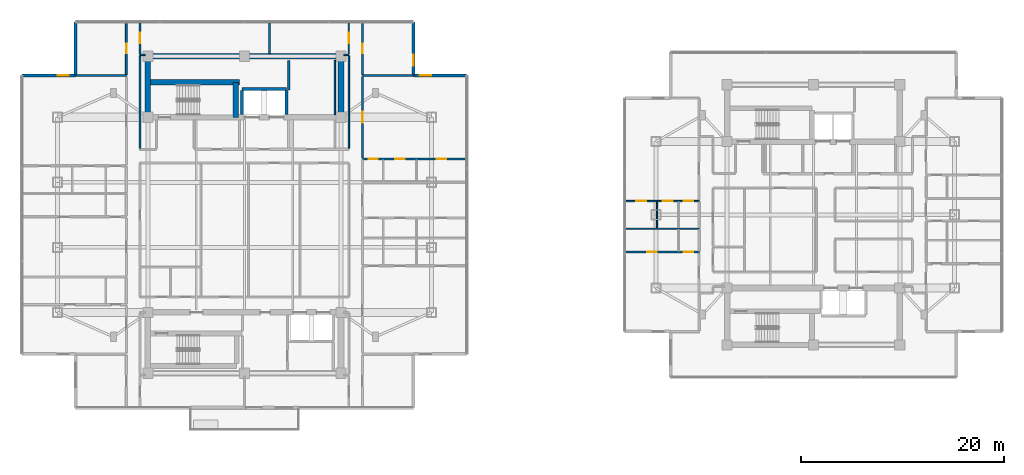
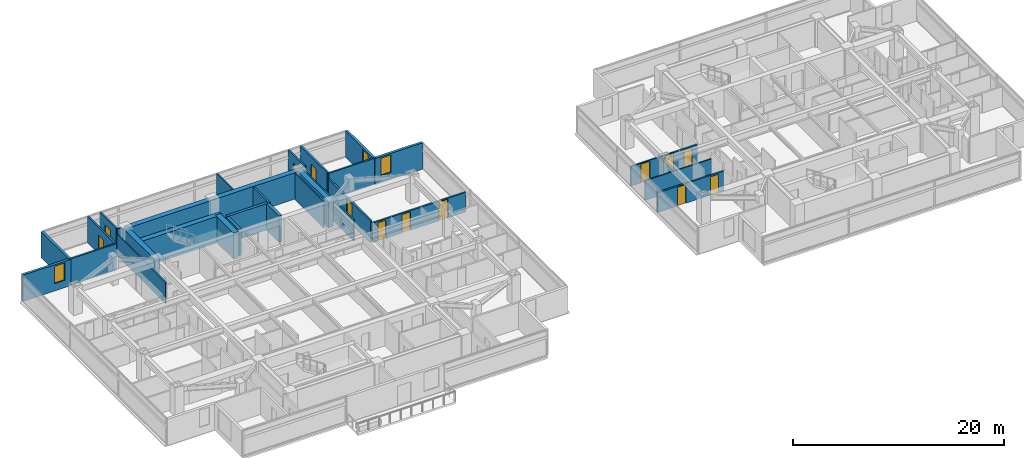
# One storey, part 15 of 25: 31 walls, 13 doors, 3 windows, 16 openings.
"""IFC4 building model written with IfcOpenShell, lengths in metres."""

import ifcopenshell
import ifcopenshell.guid

model = None  # the IFC model being written
_history = None  # IfcOwnerHistory: only IFC2X3 demands one
_inside = {}  # id of a spatial element -> (the spatial element, [elements in it])
_under = {}  # id of a project, library or spatial element -> (it, [spatial elements below it])
_declared = {}  # id of a project -> (the project, [libraries it declares])
_typed = {}  # id of a type object -> (the type object, [elements of that type])
_made_of = {}  # id of a material, layer set ... -> (it, [elements and type objects made of it])


def new_model(schema):
    """Start an empty IFC model of exactly this schema.

    Asked for "IFC4X3", IfcOpenShell would pick the latest addendum, in which some entities
    have other attributes; the version numbers below select the first issue.
    IFC2X3 requires an IfcOwnerHistory on every rooted entity: one is made here for all.
    """
    global model, _history
    if schema == "IFC4X3":
        model = ifcopenshell.file(schema_version=(4, 3, 0, 0))
    else:
        model = ifcopenshell.file(schema=schema)
    _inside.clear()
    _under.clear()
    _declared.clear()
    _typed.clear()
    _made_of.clear()
    _history = None
    if model.schema == "IFC2X3":
        org = make("IfcOrganization", Name="unknown")
        user = make(
            "IfcPersonAndOrganization",
            ThePerson=make("IfcPerson", FamilyName="unknown"),
            TheOrganization=org,
        )
        app = make(
            "IfcApplication",
            ApplicationDeveloper=org,
            Version="unknown",
            ApplicationFullName="unknown",
            ApplicationIdentifier="unknown",
        )
        _history = make(
            "IfcOwnerHistory",
            OwningUser=user,
            OwningApplication=app,
            ChangeAction="ADDED",
            CreationDate=0,
        )
    return model


def make(cls, **values):
    """One entity of the class cls with the attributes given. An attribute that is None is left unset."""
    return model.create_entity(
        cls, **{name: value for name, value in values.items() if value is not None}
    )


def rooted(cls, **values):
    """An entity with a GlobalId (a new one), such as an element, a storey or a relation."""
    return make(cls, GlobalId=ifcopenshell.guid.new(), OwnerHistory=_history, **values)


def si_unit(unit_type, name, prefix=None):
    """IfcSIUnit, for example si_unit("LENGTHUNIT", "METRE", prefix="MILLI")."""
    return make("IfcSIUnit", UnitType=unit_type, Prefix=prefix, Name=name)


def assignment(units):
    """IfcUnitAssignment: the units of a project."""
    return None if units is None else make("IfcUnitAssignment", Units=units)


def point(xyz):
    """IfcCartesianPoint."""
    return None if xyz is None else make("IfcCartesianPoint", Coordinates=xyz)


def direction(xyz):
    """IfcDirection."""
    return None if xyz is None else make("IfcDirection", DirectionRatios=xyz)


def frame(location, z_axis=None, x_axis=None):
    """IfcAxis2Placement3D, a coordinate frame: its origin and axes. An axis left out is left unset."""
    return make(
        "IfcAxis2Placement3D",
        Location=point(location),
        Axis=direction(z_axis),
        RefDirection=direction(x_axis),
    )


def frame_2d(location, x_axis=None):
    """IfcAxis2Placement2D, a coordinate frame in the plane: its origin and x axis."""
    return make(
        "IfcAxis2Placement2D", Location=point(location), RefDirection=direction(x_axis)
    )


def origin():
    """The frame at (0, 0, 0) with its axes left unset."""
    return frame((0.0, 0.0, 0.0))


def place(relative_to, where):
    """IfcLocalPlacement: puts the frame where relative to a parent placement (None: the world)."""
    return make(
        "IfcLocalPlacement", PlacementRelTo=relative_to, RelativePlacement=where
    )


def context(
    kind, dimensions, precision=None, world=None, true_north=None, identifier=None
):
    """IfcGeometricRepresentationContext, for example the 3D "Model" context."""
    return make(
        "IfcGeometricRepresentationContext",
        ContextIdentifier=identifier,
        ContextType=kind,
        CoordinateSpaceDimension=dimensions,
        Precision=precision,
        WorldCoordinateSystem=world,
        TrueNorth=true_north,
    )


def subcontext(parent, identifier, kind, view, scale=None):
    """IfcGeometricRepresentationSubContext, for example "Body" below "Model"."""
    return make(
        "IfcGeometricRepresentationSubContext",
        ContextIdentifier=identifier,
        ContextType=kind,
        ParentContext=parent,
        TargetScale=scale,
        TargetView=view,
    )


def project(units=None, contexts=None):
    """IfcProject with its units and contexts."""
    return rooted(
        "IfcProject",
        Name="project",
        RepresentationContexts=contexts,
        UnitsInContext=assignment(units),
    )


def spatial(cls, under=None, at=None, **own):
    """A site, building, storey or space (cls), placed at a placement, below another one or the project."""
    s = rooted(cls, ObjectPlacement=at, **own)
    if under is not None:
        _under.setdefault(under.id(), (under, []))[1].append(s)
    return s


def profile(cls, at=None, kind="AREA", **sizes):
    """A parametric profile (cls). Its sizes go by their IFC names, for example OverallWidth=200.0."""
    return make(cls, ProfileType=kind, Position=at, **sizes)


def rectangle(**sizes):
    """IfcRectangleProfileDef."""
    return profile("IfcRectangleProfileDef", **sizes)


def extrude(swept, where, along, depth):
    """IfcExtrudedAreaSolid: the profile swept, set in the frame where, extruded along a direction by depth."""
    return make(
        "IfcExtrudedAreaSolid",
        SweptArea=swept,
        Position=where,
        ExtrudedDirection=direction(along),
        Depth=depth,
    )


def shape(context_of_items, identifier, shape_type, items):
    """IfcShapeRepresentation: the items that make up one representation, for example the "Body"."""
    return make(
        "IfcShapeRepresentation",
        ContextOfItems=context_of_items,
        RepresentationIdentifier=identifier,
        RepresentationType=shape_type,
        Items=items,
    )


def material(Name=None, Category=None):
    """IfcMaterial."""
    return make("IfcMaterial", Name=Name, Category=Category)


def layer(
    of_material, thickness, ventilated=None, Name=None, Category=None, Priority=None
):
    """IfcMaterialLayer: one layer of a wall or slab, of a material (None: an air gap)."""
    return make(
        "IfcMaterialLayer",
        Material=of_material,
        LayerThickness=thickness,
        IsVentilated=ventilated,
        Name=Name,
        Category=Category,
        Priority=Priority,
    )


def layer_set(layers, Name=None):
    """IfcMaterialLayerSet."""
    return make("IfcMaterialLayerSet", MaterialLayers=layers, LayerSetName=Name)


def made_of(thing, what):
    """Note that an element or type object is made of a material, layer set ...; save() writes the relation."""
    if what is not None:
        _made_of.setdefault(what.id(), (what, []))[1].append(thing)
    return thing


def type_object(cls, material=None, **own):
    """A type object (cls), such as IfcWallType, which elements share."""
    return made_of(rooted(cls, **own), material)


def element(
    cls,
    number,
    at=None,
    inside=None,
    cuts=None,
    type_object=None,
    material=None,
    context=None,
    identifier="Body",
    shape_type=None,
    held_by="IfcProductDefinitionShape",
    body=None,
    shapes=None,
    **own,
):
    """One element of the class cls, such as IfcWall. Its Tag is "e" and its number.

    at: its placement. inside: the storey or other place that contains it. cuts: it is an
    opening in that element (IfcRelVoidsElement). A single representation is given by context,
    identifier, shape_type and body (its items); several are given by shapes. held_by: the class
    of the entity that holds the representations. save() writes the other relations.
    """
    e = rooted(cls, Tag="e%d" % number, ObjectPlacement=at, **own)
    if body is not None:
        shapes = [shape(context, identifier, shape_type, body)]
    if shapes is not None:
        e.Representation = make(held_by, Representations=shapes)
    if inside is not None:
        _inside.setdefault(inside.id(), (inside, []))[1].append(e)
    if cuts is not None:
        rooted(
            "IfcRelVoidsElement", RelatingBuildingElement=cuts, RelatedOpeningElement=e
        )
    if type_object is not None:
        _typed.setdefault(type_object.id(), (type_object, []))[1].append(e)
    return made_of(e, material)


def fill(opening, filler):
    """IfcRelFillsElement: the door or window that sits in an opening."""
    return rooted(
        "IfcRelFillsElement",
        RelatingOpeningElement=opening,
        RelatedBuildingElement=filler,
    )


def aggregate(whole, parts):
    """IfcRelAggregates: a whole, such as a stair, and the parts it consists of."""
    return rooted("IfcRelAggregates", RelatingObject=whole, RelatedObjects=parts)


def save(model, path):
    """Write the relations noted so far, then the file.

    IfcRelAggregates (storeys below a building ...), IfcRelContainedInSpatialStructure (elements
    in a storey), IfcRelDefinesByType, IfcRelAssociatesMaterial and IfcRelDeclares: one each for
    every whole, place, type object, material and project.
    """
    for whole, parts in _under.values():
        aggregate(whole, parts)
    for where, things in _inside.values():
        rooted(
            "IfcRelContainedInSpatialStructure",
            RelatedElements=things,
            RelatingStructure=where,
        )
    for kind, things in _typed.values():
        rooted("IfcRelDefinesByType", RelatedObjects=things, RelatingType=kind)
    for what, things in _made_of.values():
        rooted("IfcRelAssociatesMaterial", RelatedObjects=things, RelatingMaterial=what)
    for by, libraries in _declared.values():
        rooted("IfcRelDeclares", RelatingContext=by, RelatedDefinitions=libraries)
    model.write(path)


model = new_model("IFC4")

# Units and contexts
model_context = context("Model", 3, precision=1e-05, world=origin(), true_north=direction((0.0, 1.0)))
body_context = subcontext(model_context, "Body", "Model", "MODEL_VIEW")
ifc_project = project(units=[si_unit("LENGTHUNIT", "METRE"), si_unit("AREAUNIT", "SQUARE_METRE"), si_unit("VOLUMEUNIT", "CUBIC_METRE"), si_unit("PLANEANGLEUNIT", "RADIAN"), si_unit("MASSUNIT", "GRAM", prefix="KILO")], contexts=[model_context])

# Site, building, storey
site_placement = place(None, origin())
site = spatial("IfcSite", under=ifc_project, at=site_placement, CompositionType="ELEMENT")
building_placement = place(site_placement, origin())
building = spatial("IfcBuilding", under=site, at=building_placement, Name="Mirazonda Arch Towers", CompositionType="ELEMENT")
storey_placement = place(building_placement, frame((0.0, 0.0, 180.39990234375)))
storey = spatial("IfcBuildingStorey", under=building, at=storey_placement, Name="L51", CompositionType="ELEMENT", Elevation=180.39990234375)

# Walls
ifc_material_1 = material(Name="Concrete C50/60", Category="concrete")
ifc_layer_1 = layer(ifc_material_1, 0.550048828125, Name="WALL-CORE-550")
ifc_layer_set_1 = layer_set([ifc_layer_1], Name="Concrete C50/60")
wall_type_1 = type_object("IfcWallType", Name="WALL-CORE-550", PredefinedType="SHEAR", material=ifc_layer_set_1)
wall_1_placement = place(storey_placement, frame((11.0, 43.60009765625, 0.0), z_axis=(0.0, 0.0, 1.0), x_axis=(1.0, 0.0, 0.0)))
element("IfcWall", 1, at=wall_1_placement, inside=storey, type_object=wall_type_1, Name="L51 T1N-N Core Shear Wall", PredefinedType="SHEAR", context=body_context, shape_type="SweptSolid", body=[
    extrude(rectangle(XDim=19.0, YDim=0.550048828125, at=frame_2d((9.5, 0.0))), origin(), (0.0, 0.0, 1.0), 3.050048828125),
])
for number, where, z_axis, x_axis, name in (
    (2, (11.0, 37.60009765625, 0.0), (0.0, 0.0, 1.0), (0.0, 1.0, 0.0), "L51 T1N-W Core Shear Wall"),
    (3, (30.0, 37.60009765625, 0.0), (0.0, 0.0, 1.0), (0.0, 1.0, 0.0), "L51 T1N-E Core Shear Wall"),
):
    element("IfcWall", number, at=place(storey_placement, frame(where, z_axis=z_axis, x_axis=x_axis)), inside=storey, type_object=wall_type_1, Name=name, PredefinedType="SHEAR", context=body_context, shape_type="SweptSolid", body=[
        extrude(rectangle(XDim=6.0, YDim=0.550048828125, at=frame_2d((3.0, 0.0))), origin(), (0.0, 0.0, 1.0), 3.050048828125),
    ])
wall_2_placement = place(storey_placement, frame((11.0, 41.04296875, 0.0), z_axis=(0.0, 0.0, 1.0), x_axis=(1.0, 0.0, 0.0)))
element("IfcWall", 4, at=wall_2_placement, inside=storey, type_object=wall_type_1, Name="L51 T1N-STN Core Shear Wall", PredefinedType="SHEAR", context=body_context, shape_type="SweptSolid", body=[
    extrude(rectangle(XDim=9.0, YDim=0.550048828125, at=frame_2d((4.5, 0.0))), origin(), (0.0, 0.0, 1.0), 3.050048828125),
])
wall_3_placement = place(storey_placement, frame((19.64990234375, 37.60009765625, 0.0), z_axis=(0.0, 0.0, 1.0), x_axis=(0.0, 1.0, 0.0)))
element("IfcWall", 5, at=wall_3_placement, inside=storey, type_object=wall_type_1, Name="L51 T1N-STE Core Shear Wall", PredefinedType="SHEAR", context=body_context, shape_type="SweptSolid", body=[
    extrude(rectangle(XDim=3.44287109375, YDim=0.550048828125, at=frame_2d((1.721435546875, 0.0))), origin(), (0.0, 0.0, 1.0), 3.050048828125),
])

# Wall, opening, window
ifc_material_2 = material(Name="Precast Concrete C40/50", Category="concrete")
ifc_layer_2 = layer(ifc_material_2, 0.280029296875, Name="WALL-EXT-WALL-280")
ifc_layer_set_2 = layer_set([ifc_layer_2], Name="Precast Concrete C40/50")
wall_type_2 = type_object("IfcWallType", Name="WALL-EXT-WALL-280", PredefinedType="SOLIDWALL", material=ifc_layer_set_2)
wall_4_placement = place(storey_placement, frame((37.125, 41.708984375, 0.0), z_axis=(0.0, 0.0, 1.0), x_axis=(0.0, 1.0, 0.0)))
wall_4 = element("IfcWall", 6, at=wall_4_placement, inside=storey, type_object=wall_type_2, Name="L51 T1 Notched NE Corner Wall WL-L51-T1-CNE", PredefinedType="SOLIDWALL", context=body_context, shape_type="SweptSolid", body=[
    extrude(rectangle(XDim=5.2451171875, YDim=0.280029296875, at=frame_2d((2.62255859375, 0.0))), origin(), (0.0, 0.0, 1.0), 3.030029296875),
])
opening_1_placement = place(wall_4_placement, frame((0.949951171875, 0.0, 0.85009765625)))
opening_1 = element("IfcOpeningElement", 7, at=opening_1_placement, cuts=wall_4, Name="Opening WN-108", PredefinedType="OPENING", context=body_context, shape_type="SweptSolid", body=[
    extrude(rectangle(XDim=1.10009765625, YDim=2.0, at=frame_2d((0.550048828125, 1.0))), frame((0.0, 0.14990234375, 0.0), z_axis=(0.0, -1.0, 0.0), x_axis=(1.0, 0.0, 0.0)), (0.0, 0.0, 1.0), 0.300048828125),
])
ifc_material_3 = material(Name="Insulated Low-E Solar Glass", Category="glass")
window_type = type_object("IfcWindowType", Name="WIN-NOTCH-1100x2000", PartitioningType="SINGLE_PANEL", PredefinedType="WINDOW", material=ifc_material_3)
window_1_placement = place(opening_1_placement, origin())
window_1 = element("IfcWindow", 8, at=window_1_placement, inside=storey, type_object=window_type, Name="L51 Punched Facade Window WN-L51-T1-CNE", OverallHeight=2.0, OverallWidth=1.10009765625, PartitioningType="SINGLE_PANEL", PredefinedType="WINDOW", context=body_context, shape_type="SweptSolid", body=[
    extrude(rectangle(XDim=1.10009765625, YDim=2.0, at=frame_2d((0.550048828125, 1.0))), frame((0.0, 0.030029296875, 0.0), z_axis=(0.0, -1.0, 0.0), x_axis=(1.0, 0.0, 0.0)), (0.0, 0.0, 1.0), 0.06005859375),
])
fill(opening_1, window_1)

wall_5_placement = place(storey_placement, frame((3.875, 41.708984375, 0.0), z_axis=(0.0, 0.0, 1.0), x_axis=(-1.0, 0.0, 0.0)))
wall_5 = element("IfcWall", 9, at=wall_5_placement, inside=storey, type_object=wall_type_2, Name="L51 T1 Corner Notch Return Wall WL-L51-T1-CNW1", PredefinedType="SOLIDWALL", context=body_context, shape_type="SweptSolid", body=[
    extrude(rectangle(XDim=5.2451171875, YDim=0.280029296875, at=frame_2d((2.62255859375, 0.0))), origin(), (0.0, 0.0, 1.0), 3.030029296875),
])
opening_2_placement = place(wall_5_placement, frame((0.64990234375, 0.0, 0.85009765625)))
opening_2 = element("IfcOpeningElement", 10, at=opening_2_placement, cuts=wall_5, Name="Opening WN-108", PredefinedType="OPENING", context=body_context, shape_type="SweptSolid", body=[
    extrude(rectangle(XDim=1.10009765625, YDim=2.0, at=frame_2d((0.550048828125, 1.0))), frame((0.0, 0.14990234375, 0.0), z_axis=(0.0, -1.0, 0.0), x_axis=(1.0, 0.0, 0.0)), (0.0, 0.0, 1.0), 0.300048828125),
])
window_2_placement = place(opening_2_placement, origin())
window_2 = element("IfcWindow", 11, at=window_2_placement, inside=storey, type_object=window_type, Name="L51 Punched Facade Window WN-L51-T1-CNW1", OverallHeight=2.0, OverallWidth=1.10009765625, PartitioningType="SINGLE_PANEL", PredefinedType="WINDOW", context=body_context, shape_type="SweptSolid", body=[
    extrude(rectangle(XDim=1.10009765625, YDim=2.0, at=frame_2d((0.550048828125, 1.0))), frame((0.0, 0.030029296875, 0.0), z_axis=(0.0, -1.0, 0.0), x_axis=(1.0, 0.0, 0.0)), (0.0, 0.0, 1.0), 0.06005859375),
])
fill(opening_2, window_2)

# Wall
wall_6_placement = place(storey_placement, frame((3.875, 46.9541015625, 0.0), z_axis=(0.0, 0.0, 1.0), x_axis=(0.0, -1.0, 0.0)))
element("IfcWall", 12, at=wall_6_placement, inside=storey, type_object=wall_type_2, Name="L51 T1 Corner Notch Return Wall WL-L51-T1-CNW2", PredefinedType="SOLIDWALL", context=body_context, shape_type="SweptSolid", body=[
    extrude(rectangle(XDim=5.2451171875, YDim=0.280029296875, at=frame_2d((2.62255859375, 0.0))), origin(), (0.0, 0.0, 1.0), 3.030029296875),
])

# Wall, opening, window
wall_7_placement = place(storey_placement, frame((42.3701171875, 41.708984375, 0.0), z_axis=(0.0, 0.0, 1.0), x_axis=(-1.0, 0.0, 0.0)))
wall_7 = element("IfcWall", 13, at=wall_7_placement, inside=storey, type_object=wall_type_2, Name="L51 T1 Corner Notch Return Wall WL-L51-T1-CNE2", PredefinedType="SOLIDWALL", context=body_context, shape_type="SweptSolid", body=[
    extrude(rectangle(XDim=5.2451171875, YDim=0.280029296875, at=frame_2d((2.62255859375, 0.0))), origin(), (0.0, 0.0, 1.0), 3.030029296875),
])
opening_3_placement = place(wall_7_placement, frame((3.4951171875, 0.0, 0.85009765625)))
opening_3 = element("IfcOpeningElement", 14, at=opening_3_placement, cuts=wall_7, Name="Opening WN-108", PredefinedType="OPENING", context=body_context, shape_type="SweptSolid", body=[
    extrude(rectangle(XDim=1.10009765625, YDim=2.0, at=frame_2d((0.550048828125, 1.0))), frame((0.0, 0.14990234375, 0.0), z_axis=(0.0, -1.0, 0.0), x_axis=(1.0, 0.0, 0.0)), (0.0, 0.0, 1.0), 0.300048828125),
])
window_3_placement = place(opening_3_placement, origin())
window_3 = element("IfcWindow", 15, at=window_3_placement, inside=storey, type_object=window_type, Name="L51 Punched Facade Window WN-L51-T1-CNE2", OverallHeight=2.0, OverallWidth=1.10009765625, PartitioningType="SINGLE_PANEL", PredefinedType="WINDOW", context=body_context, shape_type="SweptSolid", body=[
    extrude(rectangle(XDim=1.10009765625, YDim=2.0, at=frame_2d((0.550048828125, 1.0))), frame((0.0, 0.030029296875, 0.0), z_axis=(0.0, -1.0, 0.0), x_axis=(1.0, 0.0, 0.0)), (0.0, 0.0, 1.0), 0.06005859375),
])
fill(opening_3, window_3)

# Wall
ifc_material_4 = material(Name="Concrete C40/50", Category="concrete")
ifc_layer_3 = layer(ifc_material_4, 0.219970703125, Name="WALL-FFL-220")
ifc_layer_set_3 = layer_set([ifc_layer_3], Name="Concrete C40/50")
wall_type_3 = type_object("IfcWallType", Name="WALL-FFL-220", PredefinedType="SOLIDWALL", material=ifc_layer_set_3)
wall_8_placement = place(storey_placement, frame((24.85009765625, 40.260009765625, 0.0), z_axis=(0.0, 0.0, 1.0), x_axis=(0.0, 1.0, 0.0)))
element("IfcWall", 16, at=wall_8_placement, inside=storey, type_object=wall_type_3, Name="L51 Interior Partition 096", PredefinedType="SOLIDWALL", context=body_context, shape_type="SweptSolid", body=[
    extrude(rectangle(XDim=2.93994140625, YDim=0.219970703125, at=frame_2d((1.469970703125, 0.0))), origin(), (0.0, 0.0, 1.0), 3.050048828125),
])

# Wall, openings, doors
ifc_material_5 = material(Name="Fire-Rated Gypsum Stud Partition")
ifc_layer_4 = layer(ifc_material_5, 0.14990234375, Name="WALL-PART-CORR-150")
ifc_layer_set_4 = layer_set([ifc_layer_4], Name="Fire-Rated Gypsum Stud Partition")
wall_type_4 = type_object("IfcWallType", Name="WALL-PART-CORR-150", PredefinedType="PARTITIONING", material=ifc_layer_set_4)
wall_9_placement = place(storey_placement, frame((57.962890625, 29.35205078125, 0.0), z_axis=(0.0, 0.0, 1.0), x_axis=(1.0, 0.0, 0.0)))
wall_9 = element("IfcWall", 17, at=wall_9_placement, inside=storey, type_object=wall_type_4, Name="L51 Interior Partition 036", PredefinedType="PARTITIONING", context=body_context, shape_type="SweptSolid", body=[
    extrude(rectangle(XDim=7.287109375, YDim=0.14990234375, at=frame_2d((3.6435546875, 0.0))), origin(), (0.0, 0.0, 1.0), 2.26904296875),
])
opening_4_placement = place(wall_9_placement, frame((1.118896484375, 0.0, 0.0)))
opening_4 = element("IfcOpeningElement", 18, at=opening_4_placement, cuts=wall_9, Name="Opening DR-104", PredefinedType="OPENING", context=body_context, shape_type="SweptSolid", body=[
    extrude(rectangle(XDim=0.949951171875, YDim=2.14990234375, at=frame_2d((0.47509765625, 1.074951171875))), frame((0.0, 0.0849609375, 0.0), z_axis=(0.0, -1.0, 0.0), x_axis=(1.0, 0.0, 0.0)), (0.0, 0.0, 1.0), 0.169921875),
])
opening_5_placement = place(wall_9_placement, frame((3.722412109375, 0.0, 0.0)))
opening_5 = element("IfcOpeningElement", 19, at=opening_5_placement, cuts=wall_9, Name="Opening DR-104", PredefinedType="OPENING", context=body_context, shape_type="SweptSolid", body=[
    extrude(rectangle(XDim=0.949951171875, YDim=2.14990234375, at=frame_2d((0.47509765625, 1.074951171875))), frame((0.0, 0.0849609375, 0.0), z_axis=(0.0, -1.0, 0.0), x_axis=(1.0, 0.0, 0.0)), (0.0, 0.0, 1.0), 0.169921875),
])
opening_6_placement = place(wall_9_placement, frame((5.797119140625, 0.0, 0.0)))
opening_6 = element("IfcOpeningElement", 20, at=opening_6_placement, cuts=wall_9, Name="Opening DR-120", PredefinedType="OPENING", context=body_context, shape_type="SweptSolid", body=[
    extrude(rectangle(XDim=0.89990234375, YDim=2.10009765625, at=frame_2d((0.449951171875, 1.050048828125))), frame((0.0, 0.0849609375, 0.0), z_axis=(0.0, -1.0, 0.0), x_axis=(1.0, 0.0, 0.0)), (0.0, 0.0, 1.0), 0.169921875),
])
ifc_material_6 = material(Name="Architectural Brushed Steel S355", Category="steel")
door_type_1 = type_object("IfcDoorType", Name="DOOR-ROOM-950", OperationType="NOTDEFINED", PredefinedType="DOOR", material=ifc_material_6)
door_1_placement = place(opening_4_placement, origin())
door_1 = element("IfcDoor", 21, at=door_1_placement, inside=storey, type_object=door_type_1, Name="L51 Residence 2 Principal Bedroom Door", OperationType="SINGLE_SWING_LEFT", OverallHeight=2.14990234375, OverallWidth=0.949951171875, PredefinedType="DOOR", context=body_context, shape_type="SweptSolid", body=[
    extrude(rectangle(XDim=0.949951171875, YDim=2.14990234375, at=frame_2d((0.47509765625, 1.074951171875))), frame((0.0, 0.02490234375, 0.0), z_axis=(0.0, -1.0, 0.0), x_axis=(1.0, 0.0, 0.0)), (0.0, 0.0, 1.0), 0.050048828125),
])
fill(opening_4, door_1)
door_2_placement = place(opening_5_placement, origin())
door_2 = element("IfcDoor", 22, at=door_2_placement, inside=storey, type_object=door_type_1, Name="L51 Residence 2 Fitted Kitchen Door", OperationType="SINGLE_SWING_RIGHT", OverallHeight=2.14990234375, OverallWidth=0.949951171875, PredefinedType="DOOR", context=body_context, shape_type="SweptSolid", body=[
    extrude(rectangle(XDim=0.949951171875, YDim=2.14990234375, at=frame_2d((0.47509765625, 1.074951171875))), frame((0.0, 0.02490234375, 0.0), z_axis=(0.0, -1.0, 0.0), x_axis=(1.0, 0.0, 0.0)), (0.0, 0.0, 1.0), 0.050048828125),
])
fill(opening_5, door_2)
door_type_2 = type_object("IfcDoorType", Name="DOOR-WC-900", OperationType="NOTDEFINED", PredefinedType="DOOR", material=ifc_material_6)
door_3_placement = place(opening_6_placement, origin())
door_3 = element("IfcDoor", 23, at=door_3_placement, inside=storey, type_object=door_type_2, Name="L51 Residence 2 Bathroom Door", OperationType="SINGLE_SWING_LEFT", OverallHeight=2.10009765625, OverallWidth=0.89990234375, PredefinedType="DOOR", context=body_context, shape_type="SweptSolid", body=[
    extrude(rectangle(XDim=0.89990234375, YDim=2.10009765625, at=frame_2d((0.449951171875, 1.050048828125))), frame((0.0, 0.02490234375, 0.0), z_axis=(0.0, -1.0, 0.0), x_axis=(1.0, 0.0, 0.0)), (0.0, 0.0, 1.0), 0.050048828125),
])
fill(opening_6, door_3)

# Walls
for number, where, z_axis, x_axis, name in (
    (24, (10.219970703125, 43.75, 0.0), (0.0, 0.0, 1.0), (1.0, 0.0, 0.0), "L51 Interior Partition 059"),
    (25, (30.27001953125, 43.75, 0.0), (0.0, 0.0, 1.0), (1.0, 0.0, 0.0), "L51 Interior Partition 060"),
):
    element("IfcWall", number, at=place(storey_placement, frame(where, z_axis=z_axis, x_axis=x_axis)), inside=storey, type_object=wall_type_4, Name=name, PredefinedType="PARTITIONING", context=body_context, shape_type="SweptSolid", body=[
        extrude(rectangle(XDim=0.510009765625, YDim=0.14990234375, at=frame_2d((0.2548828125, 0.0))), origin(), (0.0, 0.0, 1.0), 3.050048828125),
    ])
wall_10_placement = place(storey_placement, frame((10.219970703125, 34.534912109375, 0.0), z_axis=(0.0, 0.0, 1.0), x_axis=(0.0, 1.0, 0.0)))
element("IfcWall", 26, at=wall_10_placement, inside=storey, type_object=wall_type_4, Name="L51 Interior Partition 077", PredefinedType="PARTITIONING", context=body_context, shape_type="SweptSolid", body=[
    extrude(rectangle(XDim=9.130126953125, YDim=0.14990234375, at=frame_2d((4.56494140625, 0.0))), origin(), (0.0, 0.0, 1.0), 2.442138671875),
])

# Wall, opening, door
wall_11_placement = place(storey_placement, frame((10.219970703125, 43.8349609375, 0.0), z_axis=(0.0, 0.0, 1.0), x_axis=(0.0, 1.0, 0.0)))
wall_11 = element("IfcWall", 27, at=wall_11_placement, inside=storey, type_object=wall_type_4, Name="L51 Interior Partition 078", PredefinedType="PARTITIONING", context=body_context, shape_type="SweptSolid", body=[
    extrude(rectangle(XDim=3.119140625, YDim=0.14990234375, at=frame_2d((1.5595703125, 0.0))), origin(), (0.0, 0.0, 1.0), 3.050048828125),
])
opening_7_placement = place(wall_11_placement, frame((1.034423828125, 0.0, 0.0)))
opening_7 = element("IfcOpeningElement", 28, at=opening_7_placement, cuts=wall_11, Name="Opening DR-121", PredefinedType="OPENING", context=body_context, shape_type="SweptSolid", body=[
    extrude(rectangle(XDim=1.050048828125, YDim=2.199951171875, at=frame_2d((0.52490234375, 1.10009765625))), frame((0.0, 0.0849609375, 0.0), z_axis=(0.0, -1.0, 0.0), x_axis=(1.0, 0.0, 0.0)), (0.0, 0.0, 1.0), 0.169921875),
])
door_type_3 = type_object("IfcDoorType", Name="DOOR-SUITE-FD60-1050", OperationType="NOTDEFINED", PredefinedType="DOOR", material=ifc_material_6)
door_4_placement = place(opening_7_placement, origin())
door_4 = element("IfcDoor", 29, at=door_4_placement, inside=storey, type_object=door_type_3, Name="L51 North Bay Sunroom West Door", OperationType="SINGLE_SWING_LEFT", OverallHeight=2.199951171875, OverallWidth=1.050048828125, PredefinedType="DOOR", context=body_context, shape_type="SweptSolid", body=[
    extrude(rectangle(XDim=1.050048828125, YDim=2.199951171875, at=frame_2d((0.52490234375, 1.10009765625))), frame((0.0, 0.02490234375, 0.0), z_axis=(0.0, -1.0, 0.0), x_axis=(1.0, 0.0, 0.0)), (0.0, 0.0, 1.0), 0.050048828125),
])
fill(opening_7, door_4)

# Walls
wall_12_placement = place(storey_placement, frame((22.967041015625, 43.8701171875, 0.0), z_axis=(0.0, 0.0, 1.0), x_axis=(0.0, 1.0, 0.0)))
element("IfcWall", 30, at=wall_12_placement, inside=storey, type_object=wall_type_4, Name="L51 Interior Partition 091", PredefinedType="PARTITIONING", context=body_context, shape_type="SweptSolid", body=[
    extrude(rectangle(XDim=3.083984375, YDim=0.14990234375, at=frame_2d((1.5419921875, 0.0))), origin(), (0.0, 0.0, 1.0), 3.050048828125),
])
wall_13_placement = place(storey_placement, frame((29.39990234375, 37.8701171875, 0.0), z_axis=(0.0, 0.0, 1.0), x_axis=(0.0, 1.0, 0.0)))
element("IfcWall", 31, at=wall_13_placement, inside=storey, type_object=wall_type_4, Name="L51 Interior Partition 101", PredefinedType="PARTITIONING", context=body_context, shape_type="SweptSolid", body=[
    extrude(rectangle(XDim=5.329833984375, YDim=0.14990234375, at=frame_2d((2.6650390625, 0.0))), origin(), (0.0, 0.0, 1.0), 3.050048828125),
])
wall_14_placement = place(storey_placement, frame((30.780029296875, 34.570068359375, 0.0), z_axis=(0.0, 0.0, 1.0), x_axis=(0.0, 1.0, 0.0)))
element("IfcWall", 32, at=wall_14_placement, inside=storey, type_object=wall_type_4, Name="L51 Interior Partition 105", PredefinedType="PARTITIONING", context=body_context, shape_type="SweptSolid", body=[
    extrude(rectangle(XDim=9.094970703125, YDim=0.14990234375, at=frame_2d((4.54736328125, 0.0))), origin(), (0.0, 0.0, 1.0), 2.442138671875),
])

# Wall, opening, door
wall_15_placement = place(storey_placement, frame((30.780029296875, 43.8349609375, 0.0), z_axis=(0.0, 0.0, 1.0), x_axis=(0.0, 1.0, 0.0)))
wall_15 = element("IfcWall", 33, at=wall_15_placement, inside=storey, type_object=wall_type_4, Name="L51 Interior Partition 106", PredefinedType="PARTITIONING", context=body_context, shape_type="SweptSolid", body=[
    extrude(rectangle(XDim=3.119140625, YDim=0.14990234375, at=frame_2d((1.5595703125, 0.0))), origin(), (0.0, 0.0, 1.0), 3.050048828125),
])
opening_8_placement = place(wall_15_placement, frame((1.034423828125, 0.0, 0.0)))
opening_8 = element("IfcOpeningElement", 34, at=opening_8_placement, cuts=wall_15, Name="Opening DR-121", PredefinedType="OPENING", context=body_context, shape_type="SweptSolid", body=[
    extrude(rectangle(XDim=1.050048828125, YDim=2.199951171875, at=frame_2d((0.52490234375, 1.10009765625))), frame((0.0, 0.0849609375, 0.0), z_axis=(0.0, -1.0, 0.0), x_axis=(1.0, 0.0, 0.0)), (0.0, 0.0, 1.0), 0.169921875),
])
door_5_placement = place(opening_8_placement, origin())
door_5 = element("IfcDoor", 35, at=door_5_placement, inside=storey, type_object=door_type_3, Name="L51 North Bay Sunroom East Door", OperationType="SINGLE_SWING_RIGHT", OverallHeight=2.199951171875, OverallWidth=1.050048828125, PredefinedType="DOOR", context=body_context, shape_type="SweptSolid", body=[
    extrude(rectangle(XDim=1.050048828125, YDim=2.199951171875, at=frame_2d((0.52490234375, 1.10009765625))), frame((0.0, 0.02490234375, 0.0), z_axis=(0.0, -1.0, 0.0), x_axis=(1.0, 0.0, 0.0)), (0.0, 0.0, 1.0), 0.050048828125),
])
fill(opening_8, door_5)

# Wall, openings, doors
ifc_material_7 = material(Name="Fire-Rated Gypsum Twin-Stud Assembly")
ifc_layer_5 = layer(ifc_material_7, 0.179931640625, Name="WALL-PART-DEMISE-180")
ifc_layer_set_5 = layer_set([ifc_layer_5], Name="Fire-Rated Gypsum Twin-Stud Assembly")
wall_type_5 = type_object("IfcWallType", Name="WALL-PART-DEMISE-180", PredefinedType="PARTITIONING", material=ifc_layer_set_5)
wall_16_placement = place(storey_placement, frame((57.962890625, 24.33203125, 0.0), z_axis=(0.0, 0.0, 1.0), x_axis=(1.0, 0.0, 0.0)))
wall_16 = element("IfcWall", 36, at=wall_16_placement, inside=storey, type_object=wall_type_5, Name="L51 Interior Partition 026", PredefinedType="PARTITIONING", context=body_context, shape_type="SweptSolid", body=[
    extrude(rectangle(XDim=7.287109375, YDim=0.179931640625, at=frame_2d((3.6435546875, 0.0))), origin(), (0.0, 0.0, 1.0), 2.26904296875),
])
opening_9_placement = place(wall_16_placement, frame((2.16845703125, 0.0, 0.0)))
opening_9 = element("IfcOpeningElement", 37, at=opening_9_placement, cuts=wall_16, Name="Opening DR-104", PredefinedType="OPENING", context=body_context, shape_type="SweptSolid", body=[
    extrude(rectangle(XDim=0.949951171875, YDim=2.14990234375, at=frame_2d((0.47509765625, 1.074951171875))), frame((0.0, 0.099853515625, 0.0), z_axis=(0.0, -1.0, 0.0), x_axis=(1.0, 0.0, 0.0)), (0.0, 0.0, 1.0), 0.199951171875),
])
opening_10_placement = place(wall_16_placement, frame((5.797119140625, 0.0, 0.0)))
opening_10 = element("IfcOpeningElement", 38, at=opening_10_placement, cuts=wall_16, Name="Opening DR-120", PredefinedType="OPENING", context=body_context, shape_type="SweptSolid", body=[
    extrude(rectangle(XDim=0.89990234375, YDim=2.10009765625, at=frame_2d((0.449951171875, 1.050048828125))), frame((0.0, 0.099853515625, 0.0), z_axis=(0.0, -1.0, 0.0), x_axis=(1.0, 0.0, 0.0)), (0.0, 0.0, 1.0), 0.199951171875),
])
door_6_placement = place(opening_9_placement, origin())
door_6 = element("IfcDoor", 39, at=door_6_placement, inside=storey, type_object=door_type_1, Name="L51 Studio 1 Galley Kitchen Door", OperationType="SINGLE_SWING_RIGHT", OverallHeight=2.14990234375, OverallWidth=0.949951171875, PredefinedType="DOOR", context=body_context, shape_type="SweptSolid", body=[
    extrude(rectangle(XDim=0.949951171875, YDim=2.14990234375, at=frame_2d((0.47509765625, 1.074951171875))), frame((0.0, 0.02490234375, 0.0), z_axis=(0.0, -1.0, 0.0), x_axis=(1.0, 0.0, 0.0)), (0.0, 0.0, 1.0), 0.050048828125),
])
fill(opening_9, door_6)
door_7_placement = place(opening_10_placement, origin())
door_7 = element("IfcDoor", 40, at=door_7_placement, inside=storey, type_object=door_type_2, Name="L51 Studio 1 Bathroom Door", OperationType="SINGLE_SWING_LEFT", OverallHeight=2.10009765625, OverallWidth=0.89990234375, PredefinedType="DOOR", context=body_context, shape_type="SweptSolid", body=[
    extrude(rectangle(XDim=0.89990234375, YDim=2.10009765625, at=frame_2d((0.449951171875, 1.050048828125))), frame((0.0, 0.02490234375, 0.0), z_axis=(0.0, -1.0, 0.0), x_axis=(1.0, 0.0, 0.0)), (0.0, 0.0, 1.0), 0.050048828125),
])
fill(opening_10, door_7)

wall_17_placement = place(storey_placement, frame((32.1201171875, 33.5, 0.0), z_axis=(0.0, 0.0, 1.0), x_axis=(1.0, 0.0, 0.0)))
wall_17 = element("IfcWall", 41, at=wall_17_placement, inside=storey, type_object=wall_type_5, Name="L51 Interior Partition 047", PredefinedType="PARTITIONING", context=body_context, shape_type="SweptSolid", body=[
    extrude(rectangle(XDim=10.25, YDim=0.179931640625, at=frame_2d((5.125, 0.0))), origin(), (0.0, 0.0, 1.0), 2.26904296875),
])
opening_11_placement = place(wall_17_placement, frame((7.2919921875, 0.0, 0.0)))
opening_11 = element("IfcOpeningElement", 42, at=opening_11_placement, cuts=wall_17, Name="Opening DR-104", PredefinedType="OPENING", context=body_context, shape_type="SweptSolid", body=[
    extrude(rectangle(XDim=0.949951171875, YDim=2.14990234375, at=frame_2d((0.47509765625, 1.074951171875))), frame((0.0, 0.099853515625, 0.0), z_axis=(0.0, -1.0, 0.0), x_axis=(1.0, 0.0, 0.0)), (0.0, 0.0, 1.0), 0.199951171875),
])
opening_12_placement = place(wall_17_placement, frame((3.20703125, 0.0, 0.0)))
opening_12 = element("IfcOpeningElement", 43, at=opening_12_placement, cuts=wall_17, Name="Opening DR-104", PredefinedType="OPENING", context=body_context, shape_type="SweptSolid", body=[
    extrude(rectangle(XDim=0.949951171875, YDim=2.14990234375, at=frame_2d((0.47509765625, 1.074951171875))), frame((0.0, 0.099853515625, 0.0), z_axis=(0.0, -1.0, 0.0), x_axis=(1.0, 0.0, 0.0)), (0.0, 0.0, 1.0), 0.199951171875),
])
opening_13_placement = place(wall_17_placement, frame((0.590087890625, 0.0, 0.0)))
opening_13 = element("IfcOpeningElement", 44, at=opening_13_placement, cuts=wall_17, Name="Opening DR-120", PredefinedType="OPENING", context=body_context, shape_type="SweptSolid", body=[
    extrude(rectangle(XDim=0.89990234375, YDim=2.10009765625, at=frame_2d((0.449951171875, 1.050048828125))), frame((0.0, 0.099853515625, 0.0), z_axis=(0.0, -1.0, 0.0), x_axis=(1.0, 0.0, 0.0)), (0.0, 0.0, 1.0), 0.199951171875),
])
door_8_placement = place(opening_11_placement, origin())
door_8 = element("IfcDoor", 45, at=door_8_placement, inside=storey, type_object=door_type_1, Name="L51 Residence 3 Principal Bedroom Door", OperationType="SINGLE_SWING_LEFT", OverallHeight=2.14990234375, OverallWidth=0.949951171875, PredefinedType="DOOR", context=body_context, shape_type="SweptSolid", body=[
    extrude(rectangle(XDim=0.949951171875, YDim=2.14990234375, at=frame_2d((0.47509765625, 1.074951171875))), frame((0.0, 0.02490234375, 0.0), z_axis=(0.0, -1.0, 0.0), x_axis=(1.0, 0.0, 0.0)), (0.0, 0.0, 1.0), 0.050048828125),
])
fill(opening_11, door_8)
door_9_placement = place(opening_12_placement, origin())
door_9 = element("IfcDoor", 46, at=door_9_placement, inside=storey, type_object=door_type_1, Name="L51 Residence 3 Fitted Kitchen Door", OperationType="SINGLE_SWING_RIGHT", OverallHeight=2.14990234375, OverallWidth=0.949951171875, PredefinedType="DOOR", context=body_context, shape_type="SweptSolid", body=[
    extrude(rectangle(XDim=0.949951171875, YDim=2.14990234375, at=frame_2d((0.47509765625, 1.074951171875))), frame((0.0, 0.02490234375, 0.0), z_axis=(0.0, -1.0, 0.0), x_axis=(1.0, 0.0, 0.0)), (0.0, 0.0, 1.0), 0.050048828125),
])
fill(opening_12, door_9)
door_10_placement = place(opening_13_placement, origin())
door_10 = element("IfcDoor", 47, at=door_10_placement, inside=storey, type_object=door_type_2, Name="L51 Residence 3 Bathroom Door", OperationType="SINGLE_SWING_LEFT", OverallHeight=2.10009765625, OverallWidth=0.89990234375, PredefinedType="DOOR", context=body_context, shape_type="SweptSolid", body=[
    extrude(rectangle(XDim=0.89990234375, YDim=2.10009765625, at=frame_2d((0.449951171875, 1.050048828125))), frame((0.0, 0.02490234375, 0.0), z_axis=(0.0, -1.0, 0.0), x_axis=(1.0, 0.0, 0.0)), (0.0, 0.0, 1.0), 0.050048828125),
])
fill(opening_13, door_10)

# Walls
for number, where, z_axis, x_axis, name in (
    (48, (3.89501953125, 41.708984375, 0.0), (0.0, 0.0, 1.0), (1.0, 0.0, 0.0), "L51 Interior Partition 057"),
    (49, (32.1201171875, 41.708984375, 0.0), (0.0, 0.0, 1.0), (1.0, 0.0, 0.0), "L51 Interior Partition 058"),
):
    element("IfcWall", number, at=place(storey_placement, frame(where, z_axis=z_axis, x_axis=x_axis)), inside=storey, type_object=wall_type_5, Name=name, PredefinedType="PARTITIONING", context=body_context, shape_type="SweptSolid", body=[
        extrude(rectangle(XDim=4.98486328125, YDim=0.179931640625, at=frame_2d((2.492431640625, 0.0))), origin(), (0.0, 0.0, 1.0), 3.050048828125),
    ])

# Wall, opening, door
wall_18_placement = place(storey_placement, frame((8.8798828125, 41.80908203125, 0.0), z_axis=(0.0, 0.0, 1.0), x_axis=(0.0, 1.0, 0.0)))
wall_18 = element("IfcWall", 50, at=wall_18_placement, inside=storey, type_object=wall_type_5, Name="L51 Interior Partition 072", PredefinedType="PARTITIONING", context=body_context, shape_type="SweptSolid", body=[
    extrude(rectangle(XDim=5.14501953125, YDim=0.179931640625, at=frame_2d((2.572509765625, 0.0))), origin(), (0.0, 0.0, 1.0), 3.050048828125),
])
opening_14_placement = place(wall_18_placement, frame((2.097412109375, 0.0, 0.0)))
opening_14 = element("IfcOpeningElement", 51, at=opening_14_placement, cuts=wall_18, Name="Opening DR-104", PredefinedType="OPENING", context=body_context, shape_type="SweptSolid", body=[
    extrude(rectangle(XDim=0.949951171875, YDim=2.14990234375, at=frame_2d((0.47509765625, 1.074951171875))), frame((0.0, 0.099853515625, 0.0), z_axis=(0.0, -1.0, 0.0), x_axis=(1.0, 0.0, 0.0)), (0.0, 0.0, 1.0), 0.199951171875),
])
door_11_placement = place(opening_14_placement, origin())
door_11 = element("IfcDoor", 52, at=door_11_placement, inside=storey, type_object=door_type_1, Name="L51 North Bay Sunroom Alcove West Door", OperationType="SINGLE_SWING_LEFT", OverallHeight=2.14990234375, OverallWidth=0.949951171875, PredefinedType="DOOR", context=body_context, shape_type="SweptSolid", body=[
    extrude(rectangle(XDim=0.949951171875, YDim=2.14990234375, at=frame_2d((0.47509765625, 1.074951171875))), frame((0.0, 0.02490234375, 0.0), z_axis=(0.0, -1.0, 0.0), x_axis=(1.0, 0.0, 0.0)), (0.0, 0.0, 1.0), 0.050048828125),
])
fill(opening_14, door_11)

wall_19_placement = place(storey_placement, frame((32.1201171875, 33.60009765625, 0.0), z_axis=(0.0, 0.0, 1.0), x_axis=(0.0, 1.0, 0.0)))
wall_19 = element("IfcWall", 53, at=wall_19_placement, inside=storey, type_object=wall_type_5, Name="L51 Interior Partition 113", PredefinedType="PARTITIONING", context=body_context, shape_type="SweptSolid", body=[
    extrude(rectangle(XDim=8.0087890625, YDim=0.179931640625, at=frame_2d((4.00439453125, 0.0))), origin(), (0.0, 0.0, 1.0), 2.442138671875),
])
opening_15_placement = place(wall_19_placement, frame((3.4794921875, 0.0, 0.0)))
opening_15 = element("IfcOpeningElement", 54, at=opening_15_placement, cuts=wall_19, Name="Opening DR-121", PredefinedType="OPENING", context=body_context, shape_type="SweptSolid", body=[
    extrude(rectangle(XDim=1.050048828125, YDim=2.199951171875, at=frame_2d((0.52490234375, 1.10009765625))), frame((0.0, 0.099853515625, 0.0), z_axis=(0.0, -1.0, 0.0), x_axis=(1.0, 0.0, 0.0)), (0.0, 0.0, 1.0), 0.199951171875),
])
door_12_placement = place(opening_15_placement, origin())
door_12 = element("IfcDoor", 55, at=door_12_placement, inside=storey, type_object=door_type_3, Name="L51 Penthouse Residence 3 Living & Dining Salon Door", OperationType="SINGLE_SWING_RIGHT", OverallHeight=2.199951171875, OverallWidth=1.050048828125, PredefinedType="DOOR", context=body_context, shape_type="SweptSolid", body=[
    extrude(rectangle(XDim=1.050048828125, YDim=2.199951171875, at=frame_2d((0.52490234375, 1.10009765625))), frame((0.0, 0.02490234375, 0.0), z_axis=(0.0, -1.0, 0.0), x_axis=(1.0, 0.0, 0.0)), (0.0, 0.0, 1.0), 0.050048828125),
])
fill(opening_15, door_12)

wall_20_placement = place(storey_placement, frame((32.1201171875, 41.80908203125, 0.0), z_axis=(0.0, 0.0, 1.0), x_axis=(0.0, 1.0, 0.0)))
wall_20 = element("IfcWall", 56, at=wall_20_placement, inside=storey, type_object=wall_type_5, Name="L51 Interior Partition 114", PredefinedType="PARTITIONING", context=body_context, shape_type="SweptSolid", body=[
    extrude(rectangle(XDim=5.14501953125, YDim=0.179931640625, at=frame_2d((2.572509765625, 0.0))), origin(), (0.0, 0.0, 1.0), 3.050048828125),
])
opening_16_placement = place(wall_20_placement, frame((2.097412109375, 0.0, 0.0)))
opening_16 = element("IfcOpeningElement", 57, at=opening_16_placement, cuts=wall_20, Name="Opening DR-104", PredefinedType="OPENING", context=body_context, shape_type="SweptSolid", body=[
    extrude(rectangle(XDim=0.949951171875, YDim=2.14990234375, at=frame_2d((0.47509765625, 1.074951171875))), frame((0.0, 0.099853515625, 0.0), z_axis=(0.0, -1.0, 0.0), x_axis=(1.0, 0.0, 0.0)), (0.0, 0.0, 1.0), 0.199951171875),
])
door_13_placement = place(opening_16_placement, origin())
door_13 = element("IfcDoor", 58, at=door_13_placement, inside=storey, type_object=door_type_1, Name="L51 North Bay Sunroom Alcove East Door", OperationType="SINGLE_SWING_RIGHT", OverallHeight=2.14990234375, OverallWidth=0.949951171875, PredefinedType="DOOR", context=body_context, shape_type="SweptSolid", body=[
    extrude(rectangle(XDim=0.949951171875, YDim=2.14990234375, at=frame_2d((0.47509765625, 1.074951171875))), frame((0.0, 0.02490234375, 0.0), z_axis=(0.0, -1.0, 0.0), x_axis=(1.0, 0.0, 0.0)), (0.0, 0.0, 1.0), 0.050048828125),
])
fill(opening_16, door_13)

# Walls
ifc_material_8 = material(Name="Acoustic Fire-Rated Gypsum Partition")
ifc_layer_6 = layer(ifc_material_8, 0.125, Name="WALL-PART-UNIT-125")
ifc_layer_set_6 = layer_set([ifc_layer_6], Name="Acoustic Fire-Rated Gypsum Partition")
wall_type_6 = type_object("IfcWallType", Name="WALL-PART-UNIT-125", PredefinedType="PARTITIONING", material=ifc_layer_set_6)
wall_21_placement = place(storey_placement, frame((57.962890625, 26.632080078125, 0.0), z_axis=(0.0, 0.0, 1.0), x_axis=(1.0, 0.0, 0.0)))
element("IfcWall", 59, at=wall_21_placement, inside=storey, type_object=wall_type_6, Name="L51 Interior Partition 031", PredefinedType="PARTITIONING", context=body_context, shape_type="SweptSolid", body=[
    extrude(rectangle(XDim=7.287109375, YDim=0.125, at=frame_2d((3.6435546875, 0.0))), origin(), (0.0, 0.0, 1.0), 2.26904296875),
])
wall_22_placement = place(storey_placement, frame((61.111083984375, 26.70458984375, 0.0), z_axis=(0.0, 0.0, 1.0), x_axis=(0.0, 1.0, 0.0)))
element("IfcWall", 60, at=wall_22_placement, inside=storey, type_object=wall_type_6, Name="L51 Interior Partition 121", PredefinedType="PARTITIONING", context=body_context, shape_type="SweptSolid", body=[
    extrude(rectangle(XDim=2.5625, YDim=0.125, at=frame_2d((1.28125, 0.0))), origin(), (0.0, 0.0, 1.0), 2.26904296875),
])
ifc_layer_7 = layer(ifc_material_1, 0.300048828125, Name="WALL-SHAFT-300")
ifc_layer_set_7 = layer_set([ifc_layer_7], Name="Concrete C50/60")
wall_type_7 = type_object("IfcWallType", Name="WALL-SHAFT-300", PredefinedType="SOLIDWALL", material=ifc_layer_set_7)
wall_23_placement = place(storey_placement, frame((20.25, 40.39990234375, 0.0), z_axis=(0.0, 0.0, 1.0), x_axis=(1.0, 0.0, 0.0)))
element("IfcWall", 61, at=wall_23_placement, inside=storey, type_object=wall_type_7, Name="L51 Interior Partition 056", PredefinedType="SOLIDWALL", context=body_context, shape_type="SweptSolid", body=[
    extrude(rectangle(XDim=4.39990234375, YDim=0.300048828125, at=frame_2d((2.199951171875, 0.0))), origin(), (0.0, 0.0, 1.0), 3.050048828125),
])
for number, where, z_axis, x_axis, name in (
    (62, (20.25, 37.8701171875, 0.0), (0.0, 0.0, 1.0), (0.0, 1.0, 0.0), "L51 Interior Partition 088"),
    (63, (24.64990234375, 37.8701171875, 0.0), (0.0, 0.0, 1.0), (0.0, 1.0, 0.0), "L51 Interior Partition 094"),
):
    element("IfcWall", number, at=place(storey_placement, frame(where, z_axis=z_axis, x_axis=x_axis)), inside=storey, type_object=wall_type_7, Name=name, PredefinedType="SOLIDWALL", context=body_context, shape_type="SweptSolid", body=[
        extrude(rectangle(XDim=2.369873046875, YDim=0.300048828125, at=frame_2d((1.18505859375, 0.0))), origin(), (0.0, 0.0, 1.0), 3.050048828125),
    ])

save(model, "model.ifc")
